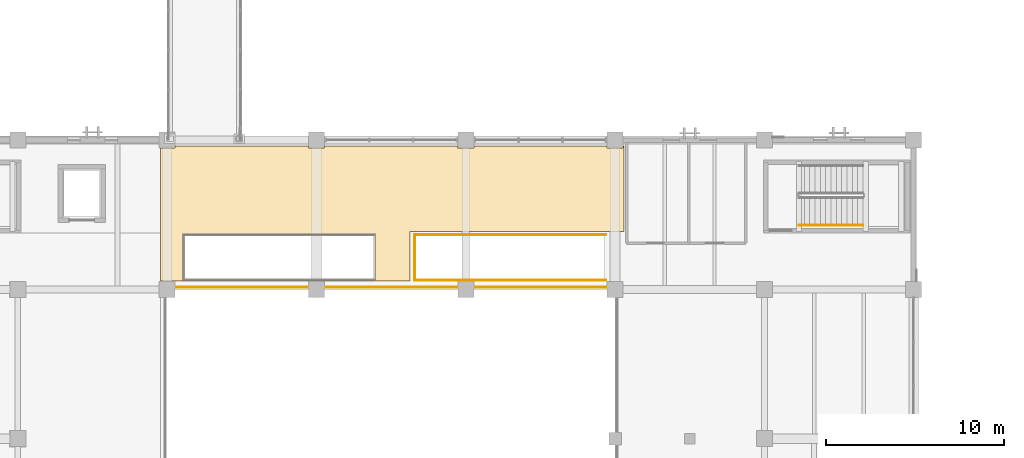
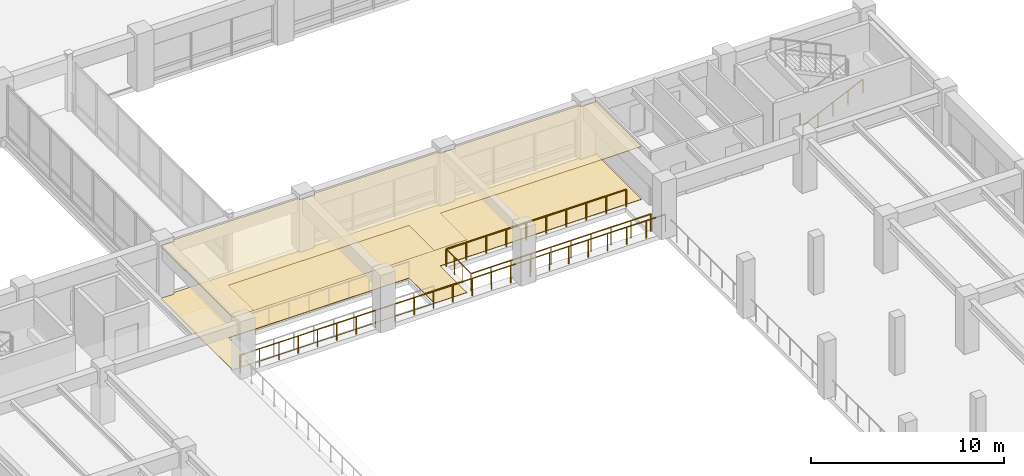
# One storey, part 93 of 118: 5 railings, 2 coverings.
"""IFC4 building model written with IfcOpenShell, lengths in metres."""

from ifc_helpers import new_model, si_unit, direction, frame, origin, origin_2d, place, context, subcontext, project, spatial, polyline, circle, outline, extrude, material, layer, layer_set, type_object, element, save


model = new_model("IFC4")

# Units and contexts
model_context = context("Model", 3, precision=1e-05, world=origin(), true_north=direction((0.0, 1.0)))
body_context = subcontext(model_context, "Body", "Model", "MODEL_VIEW")
ifc_project = project(units=[si_unit("LENGTHUNIT", "METRE"), si_unit("AREAUNIT", "SQUARE_METRE"), si_unit("VOLUMEUNIT", "CUBIC_METRE"), si_unit("PLANEANGLEUNIT", "RADIAN"), si_unit("MASSUNIT", "GRAM", prefix="KILO")], contexts=[model_context])

# Site, building, storey
site_placement = place(None, origin())
site = spatial("IfcSite", under=ifc_project, at=site_placement, CompositionType="ELEMENT")
building_placement = place(site_placement, origin())
building = spatial("IfcBuilding", under=site, at=building_placement, Name="Cumbredor Promenade Congress Hotel", CompositionType="ELEMENT")
storey_placement = place(building_placement, frame((0.0, 0.0, 3.919921875)))
storey = spatial("IfcBuildingStorey", under=building, at=storey_placement, Name="L01", CompositionType="ELEMENT", Elevation=3.919921875)

# Covering
ifc_material_1 = material(Name="Acoustic mineral-fiber and gypsum ceiling")
ifc_layer_1 = layer(ifc_material_1, 0.031982421875, Name="Acoustic mineral-fiber and gypsum ceiling")
ifc_layer_set_1 = layer_set([ifc_layer_1], Name="Acoustic mineral-fiber and gypsum ceiling")
covering_type_1 = type_object("IfcCoveringType", Name="Acoustic Perforated Gypsum Ceiling CLG-04 32mm", PredefinedType="CEILING", material=ifc_layer_set_1)
covering_1_placement = place(storey_placement, frame((0.0, 0.0, 3.328125)))
element("IfcCovering", 1, at=covering_1_placement, inside=storey, type_object=covering_type_1, Name="L01 Plenary North Concourse Corridor Acoustic Ceiling", PredefinedType="CEILING", context=body_context, shape_type="SweptSolid", body=[
    extrude(outline(polyline([(38.85009765625, 62.050048828125), (38.85009765625, 59.280029296875), (24.830078125, 59.280029296875), (24.830078125, 66.7451171875), (25.655029296875, 66.7451171875), (25.655029296875, 66.8701171875), (33.14501953125, 66.8701171875), (33.14501953125, 66.7451171875), (34.054931640625, 66.7451171875), (34.054931640625, 66.8701171875), (41.544921875, 66.8701171875), (41.544921875, 66.7451171875), (42.455078125, 66.7451171875), (42.455078125, 66.8701171875), (49.945068359375, 66.8701171875), (49.945068359375, 66.7451171875), (50.85498046875, 66.7451171875), (50.85498046875, 66.8701171875), (50.89990234375, 66.8701171875), (50.89990234375, 61.25), (57.77001953125, 61.25), (57.77001953125, 59.280029296875), (50.89990234375, 59.280029296875), (50.89990234375, 62.050048828125), (38.85009765625, 62.050048828125)]), holes=[polyline([(26.10009765625, 59.300048828125), (36.89990234375, 59.300048828125), (36.89990234375, 61.89990234375), (26.10009765625, 61.89990234375), (26.10009765625, 59.300048828125)])]), origin(), (0.0, 0.0, 1.0), 0.031982421875),
])

# Railings
ifc_material_2 = material(Name="Brushed stainless steel", Category="steel")
railing_type_1 = type_object("IfcRailingType", Name="Interior Void & Stair Guardrail GR-1100", PredefinedType="GUARDRAIL", material=ifc_material_2)
railing_1_placement = place(storey_placement, frame((50.52001953125, 58.919921875, 0.0)))
element("IfcRailing", 2, at=railing_1_placement, inside=storey, type_object=railing_type_1, Name="L01 v1_plenary_bowl Void Perimeter Guardrail 3", PredefinedType="GUARDRAIL", context=body_context, shape_type="SweptSolid", body=[
    extrude(circle(Radius=0.02392578125, at=origin_2d()), frame((0.0, 0.0, 1.09619140625), z_axis=(-1.0, 0.0, 0.0), x_axis=(0.0, -1.0, 0.0)), (0.0, 0.0, 1.0), 25.43994140625),
    extrude(circle(Radius=0.02099609375, at=origin_2d()), origin(), (0.0, 0.0, 1.0), 1.072021484375),
    extrude(circle(Radius=0.02099609375, at=origin_2d()), frame((-1.15625, 0.0, 0.0)), (0.0, 0.0, 1.0), 1.072021484375),
    extrude(circle(Radius=0.02099609375, at=origin_2d()), frame((-2.312744140625, 0.0, 0.0)), (0.0, 0.0, 1.0), 1.072021484375),
    extrude(circle(Radius=0.02099609375, at=origin_2d()), frame((-3.468994140625, 0.0, 0.0)), (0.0, 0.0, 1.0), 1.072021484375),
    extrude(circle(Radius=0.02099609375, at=origin_2d()), frame((-4.62548828125, 0.0, 0.0)), (0.0, 0.0, 1.0), 1.072021484375),
    extrude(circle(Radius=0.02099609375, at=origin_2d()), frame((-5.78173828125, 0.0, 0.0)), (0.0, 0.0, 1.0), 1.072021484375),
    extrude(circle(Radius=0.02099609375, at=origin_2d()), frame((-6.938232421875, 0.0, 0.0)), (0.0, 0.0, 1.0), 1.072021484375),
    extrude(circle(Radius=0.02099609375, at=origin_2d()), frame((-8.094482421875, 0.0, 0.0)), (0.0, 0.0, 1.0), 1.072021484375),
    extrude(circle(Radius=0.02099609375, at=origin_2d()), frame((-9.2509765625, 0.0, 0.0)), (0.0, 0.0, 1.0), 1.072021484375),
    extrude(circle(Radius=0.02099609375, at=origin_2d()), frame((-10.4072265625, 0.0, 0.0)), (0.0, 0.0, 1.0), 1.072021484375),
    extrude(circle(Radius=0.02099609375, at=origin_2d()), frame((-11.563720703125, 0.0, 0.0)), (0.0, 0.0, 1.0), 1.072021484375),
    extrude(circle(Radius=0.02099609375, at=origin_2d()), frame((-12.719970703125, 0.0, 0.0)), (0.0, 0.0, 1.0), 1.072021484375),
    extrude(circle(Radius=0.02099609375, at=origin_2d()), frame((-13.876220703125, 0.0, 0.0)), (0.0, 0.0, 1.0), 1.072021484375),
    extrude(circle(Radius=0.02099609375, at=origin_2d()), frame((-15.03271484375, 0.0, 0.0)), (0.0, 0.0, 1.0), 1.072021484375),
    extrude(circle(Radius=0.02099609375, at=origin_2d()), frame((-16.18896484375, 0.0, 0.0)), (0.0, 0.0, 1.0), 1.072021484375),
    extrude(circle(Radius=0.02099609375, at=origin_2d()), frame((-17.345458984375, 0.0, 0.0)), (0.0, 0.0, 1.0), 1.072021484375),
    extrude(circle(Radius=0.02099609375, at=origin_2d()), frame((-18.501708984375, 0.0, 0.0)), (0.0, 0.0, 1.0), 1.072021484375),
    extrude(circle(Radius=0.02099609375, at=origin_2d()), frame((-19.658203125, 0.0, 0.0)), (0.0, 0.0, 1.0), 1.072021484375),
    extrude(circle(Radius=0.02099609375, at=origin_2d()), frame((-20.814453125, 0.0, 0.0)), (0.0, 0.0, 1.0), 1.072021484375),
    extrude(circle(Radius=0.02099609375, at=origin_2d()), frame((-21.970947265625, 0.0, 0.0)), (0.0, 0.0, 1.0), 1.072021484375),
    extrude(circle(Radius=0.02099609375, at=origin_2d()), frame((-23.127197265625, 0.0, 0.0)), (0.0, 0.0, 1.0), 1.072021484375),
    extrude(circle(Radius=0.02099609375, at=origin_2d()), frame((-24.28369140625, 0.0, 0.0)), (0.0, 0.0, 1.0), 1.072021484375),
    extrude(circle(Radius=0.02099609375, at=origin_2d()), frame((-25.43994140625, 0.0, 0.0)), (0.0, 0.0, 1.0), 1.072021484375),
])
for number, where, name in (
    (3, (39.1201171875, 59.320068359375, 0.0), "L01 vm_04_well Void Perimeter Guardrail 1"),
    (4, (39.1201171875, 61.8798828125, 0.0), "L01 vm_04_well Void Perimeter Guardrail 2"),
):
    element("IfcRailing", number, at=place(storey_placement, frame(where)), inside=storey, type_object=railing_type_1, Name=name, PredefinedType="GUARDRAIL", context=body_context, shape_type="SweptSolid", body=[
        extrude(circle(Radius=0.02392578125, at=origin_2d()), frame((0.0, 0.0, 1.09619140625), z_axis=(1.0, 0.0, 0.0), x_axis=(0.0, 1.0, 0.0)), (0.0, 0.0, 1.0), 10.759765625),
        extrude(circle(Radius=0.02099609375, at=origin_2d()), origin(), (0.0, 0.0, 1.0), 1.072021484375),
        extrude(circle(Radius=0.02099609375, at=origin_2d()), frame((1.195556640625, 0.0, 0.0)), (0.0, 0.0, 1.0), 1.072021484375),
        extrude(circle(Radius=0.02099609375, at=origin_2d()), frame((2.39111328125, 0.0, 0.0)), (0.0, 0.0, 1.0), 1.072021484375),
        extrude(circle(Radius=0.02099609375, at=origin_2d()), frame((3.586669921875, 0.0, 0.0)), (0.0, 0.0, 1.0), 1.072021484375),
        extrude(circle(Radius=0.02099609375, at=origin_2d()), frame((4.7822265625, 0.0, 0.0)), (0.0, 0.0, 1.0), 1.072021484375),
        extrude(circle(Radius=0.02099609375, at=origin_2d()), frame((5.9775390625, 0.0, 0.0)), (0.0, 0.0, 1.0), 1.072021484375),
        extrude(circle(Radius=0.02099609375, at=origin_2d()), frame((7.173095703125, 0.0, 0.0)), (0.0, 0.0, 1.0), 1.072021484375),
        extrude(circle(Radius=0.02099609375, at=origin_2d()), frame((8.36865234375, 0.0, 0.0)), (0.0, 0.0, 1.0), 1.072021484375),
        extrude(circle(Radius=0.02099609375, at=origin_2d()), frame((9.564208984375, 0.0, 0.0)), (0.0, 0.0, 1.0), 1.072021484375),
        extrude(circle(Radius=0.02099609375, at=origin_2d()), frame((10.759765625, 0.0, 0.0)), (0.0, 0.0, 1.0), 1.072021484375),
    ])
railing_2_placement = place(storey_placement, frame((39.1201171875, 59.320068359375, 0.0)))
element("IfcRailing", 5, at=railing_2_placement, inside=storey, type_object=railing_type_1, Name="L01 vm_04_well Void Perimeter Guardrail 3", PredefinedType="GUARDRAIL", context=body_context, shape_type="SweptSolid", body=[
    extrude(circle(Radius=0.02392578125, at=origin_2d()), frame((0.0, 0.0, 1.09619140625), z_axis=(0.0, 1.0, 0.0), x_axis=(-1.0, 0.0, 0.0)), (0.0, 0.0, 1.0), 2.559814453125),
    extrude(circle(Radius=0.02099609375, at=origin_2d()), origin(), (0.0, 0.0, 1.0), 1.072021484375),
    extrude(circle(Radius=0.02099609375, at=origin_2d()), frame((0.0, 0.853271484375, 0.0)), (0.0, 0.0, 1.0), 1.072021484375),
    extrude(circle(Radius=0.02099609375, at=origin_2d()), frame((0.0, 1.70654296875, 0.0)), (0.0, 0.0, 1.0), 1.072021484375),
    extrude(circle(Radius=0.02099609375, at=origin_2d()), frame((0.0, 2.559814453125, 0.0)), (0.0, 0.0, 1.0), 1.072021484375),
])

# Covering
ifc_material_3 = material(Name="Porcelain stoneware tile", Category="masonry")
ifc_layer_2 = layer(ifc_material_3, 0.02490234375, Name="Porcelain stoneware tile", Category="masonry")
ifc_layer_set_2 = layer_set([ifc_layer_2], Name="Porcelain stoneware tile")
covering_type_2 = type_object("IfcCoveringType", Name="Porcelain Stoneware Flooring FLR-02 25mm", PredefinedType="FLOORING", material=ifc_layer_set_2)
covering_2_placement = place(storey_placement, origin())
element("IfcCovering", 6, at=covering_2_placement, inside=storey, type_object=covering_type_2, Name="L01 Plenary North Concourse Corridor Porcelain Flooring", PredefinedType="FLOORING", context=body_context, shape_type="SweptSolid", body=[
    extrude(outline(polyline([(38.85009765625, 62.050048828125), (38.85009765625, 59.280029296875), (24.830078125, 59.280029296875), (24.830078125, 66.7451171875), (25.655029296875, 66.7451171875), (25.655029296875, 66.8701171875), (33.14501953125, 66.8701171875), (33.14501953125, 66.7451171875), (34.054931640625, 66.7451171875), (34.054931640625, 66.8701171875), (41.544921875, 66.8701171875), (41.544921875, 66.7451171875), (42.455078125, 66.7451171875), (42.455078125, 66.8701171875), (49.945068359375, 66.8701171875), (49.945068359375, 66.7451171875), (50.85498046875, 66.7451171875), (50.85498046875, 66.8701171875), (50.89990234375, 66.8701171875), (50.89990234375, 61.25), (57.77001953125, 61.25), (57.77001953125, 59.280029296875), (50.89990234375, 59.280029296875), (50.89990234375, 62.050048828125), (38.85009765625, 62.050048828125)]), holes=[polyline([(26.10009765625, 59.300048828125), (36.89990234375, 59.300048828125), (36.89990234375, 61.89990234375), (26.10009765625, 61.89990234375), (26.10009765625, 59.300048828125)])]), origin(), (0.0, 0.0, 1.0), 0.025146484375),
])

# Railing
railing_type_2 = type_object("IfcRailingType", Name="Stair Pitch Handrail HR-900", PredefinedType="HANDRAIL", material=ifc_material_2)
railing_3_placement = place(storey_placement, frame((60.75, 62.39990234375, 0.14013671875)))
element("IfcRailing", 7, at=railing_3_placement, inside=storey, type_object=railing_type_2, Name="L01 ST-07 stair handrail 1", PredefinedType="HANDRAIL", context=body_context, shape_type="SweptSolid", body=[
    extrude(circle(Radius=0.02392578125, at=origin_2d()), frame((0.0, 0.0, 0.8759765625), z_axis=(0.906194129559, 0.0, 0.422861915468), x_axis=(0.0, 1.0, 0.0)), (0.0, 0.0, 1.0), 3.97265625),
    extrude(circle(Radius=0.02099609375, at=origin_2d()), origin(), (0.0, 0.0, 1.0), 0.851806640625),
    extrude(circle(Radius=0.02099609375, at=origin_2d()), frame((0.89990234375, 0.0, 0.419921875)), (0.0, 0.0, 1.0), 0.851806640625),
    extrude(circle(Radius=0.02099609375, at=origin_2d()), frame((1.800048828125, 0.0, 0.83984375)), (0.0, 0.0, 1.0), 0.851806640625),
    extrude(circle(Radius=0.02099609375, at=origin_2d()), frame((2.7001953125, 0.0, 1.260009765625)), (0.0, 0.0, 1.0), 0.851806640625),
    extrude(circle(Radius=0.02099609375, at=origin_2d()), frame((3.60009765625, 0.0, 1.679931640625)), (0.0, 0.0, 1.0), 0.851806640625),
])

save(model, "model.ifc")
